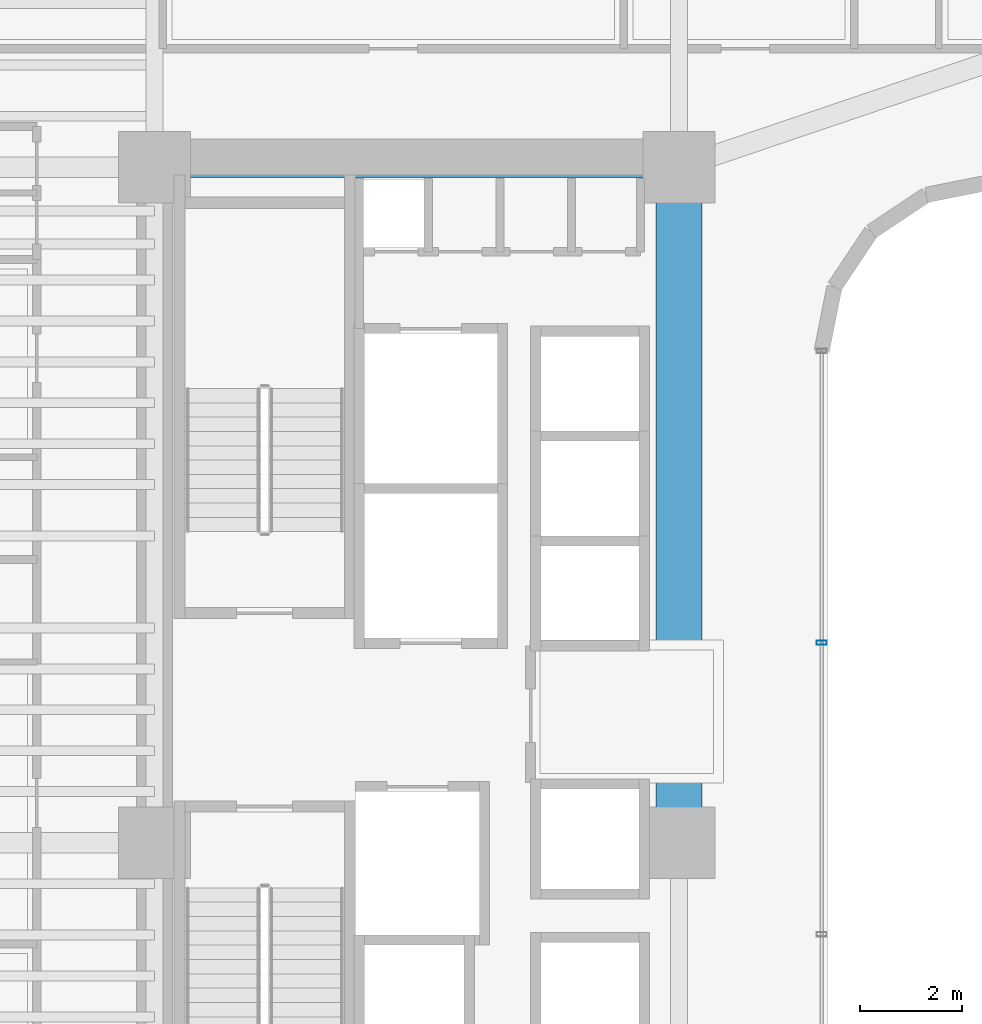
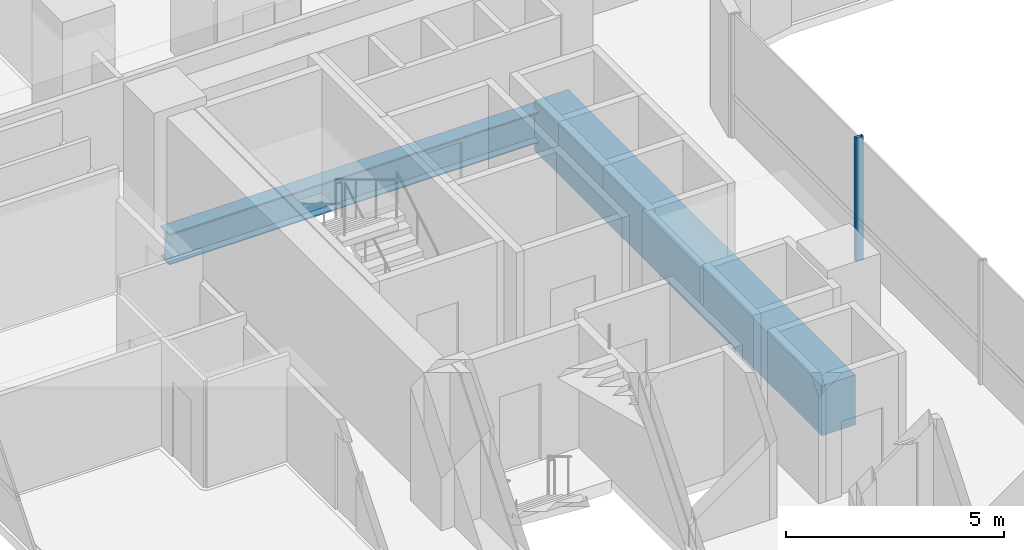
# One storey, part 11 of 40: 2 beams, 1 member, 1 element without a shape of its own.
"""IFC4 building model written with IfcOpenShell, lengths in metres."""

from ifc_helpers import new_model, si_unit, direction, frame, origin, origin_2d, place, context, subcontext, project, spatial, rectangle, hollow_rectangle, i_section, extrude, source, transform, mapped, material, material_profile, profile_set, type_object, element, aggregate, save


model = new_model("IFC4")

# Units and contexts
model_context = context("Model", 3, precision=1e-05, world=origin(), true_north=direction((0.0, 1.0)))
body_context = subcontext(model_context, "Body", "Model", "MODEL_VIEW")
ifc_project = project(units=[si_unit("LENGTHUNIT", "METRE"), si_unit("AREAUNIT", "SQUARE_METRE"), si_unit("VOLUMEUNIT", "CUBIC_METRE"), si_unit("PLANEANGLEUNIT", "RADIAN"), si_unit("MASSUNIT", "GRAM", prefix="KILO")], contexts=[model_context])

# Site, building, storey
site_placement = place(None, origin())
site = spatial("IfcSite", under=ifc_project, at=site_placement, CompositionType="ELEMENT")
building_placement = place(site_placement, origin())
building = spatial("IfcBuilding", under=site, at=building_placement, Name="Valdorenza Pilgrim Sanctuary Tower", CompositionType="ELEMENT")
storey_placement = place(building_placement, frame((0.0, 0.0, 92.60009765625)))
storey = spatial("IfcBuildingStorey", under=building, at=storey_placement, Name="L23", CompositionType="ELEMENT", Elevation=92.60009765625)

# Beams
ifc_material_1 = material(Name="Concrete C60/75", Category="concrete")
ifc_material_profile_1 = material_profile(ifc_material_1, rectangle(XDim=0.89990234375, YDim=1.39990234375, at=origin_2d()), Name="RC 1400x900")
ifc_profile_set_1 = profile_set([ifc_material_profile_1], Name="Concrete C60/75")
beam_type_1 = type_object("IfcBeamType", Name="STR-BM-LNT-1400", PredefinedType="LINTEL", material=ifc_profile_set_1)
shared_shape_1 = source(origin(), body_context, "Body", "SweptSolid", [
    extrude(rectangle(XDim=0.89990234375, YDim=1.39990234375, at=origin_2d()), origin(), (0.0, 0.0, 1.0), 13.2001953125),
])
beam_1_placement = place(storey_placement, frame((-12.39990234375, -2.60009765625, -0.739990234375), z_axis=(0.0, 1.0, 0.0), x_axis=(-1.0, 0.0, 0.0)))
element("IfcBeam", 1, at=beam_1_placement, inside=storey, type_object=beam_type_1, Name="L23 Core A Coupling Lintel Girder", PredefinedType="LINTEL", context=body_context, shape_type="MappedRepresentation", body=[
    mapped(shared_shape_1, transform((0.0, 0.0, 0.0), x_axis=(1.0, 0.0, 0.0), y_axis=(0.0, 1.0, 0.0), z_axis=(0.0, 0.0, 1.0), scale=1.0)),
])
ifc_material_2 = material(Name="Steel ASTM A992 Grade 50", Category="steel")
ifc_material_profile_2 = material_profile(ifc_material_2, i_section(OverallWidth=0.39990234375, OverallDepth=0.862060546875, WebThickness=0.019775390625, FlangeThickness=0.032470703125, at=origin_2d()), Name="W33X221")
ifc_profile_set_2 = profile_set([ifc_material_profile_2], Name="Steel ASTM A992 Grade 50")
beam_type_2 = type_object("IfcBeamType", Name="STR-BM-GRD-W33", PredefinedType="BEAM", material=ifc_profile_set_2)
shared_shape_2 = source(origin(), body_context, "Body", "SweptSolid", [
    extrude(i_section(OverallWidth=0.39990234375, OverallDepth=0.862060546875, WebThickness=0.019775390625, FlangeThickness=0.032470703125, at=origin_2d()), origin(), (0.0, 0.0, 1.0), 10.25),
])
beam_2_placement = place(storey_placement, frame((-22.64990234375, 10.60009765625, -0.671142578125), z_axis=(1.0, 0.0, 0.0), x_axis=(0.0, 1.0, 0.0)))
element("IfcBeam", 2, at=beam_2_placement, inside=storey, type_object=beam_type_2, Name="L23 Floor Girder CA-XC-N1", PredefinedType="BEAM", context=body_context, shape_type="MappedRepresentation", body=[
    mapped(shared_shape_2, transform((0.0, 0.0, 0.0), x_axis=(1.0, 0.0, 0.0), y_axis=(0.0, 1.0, 0.0), z_axis=(0.0, 0.0, 1.0), scale=1.0)),
])

# Curtain wall, member
ifc_material_3 = material(Name="Curtain-wall IGU glazing", Category="glass")
curtain_wall_type = type_object("IfcCurtainWallType", Name="CW-SYS-02", PredefinedType="NOTDEFINED", material=ifc_material_3)
curtain_wall_placement = place(storey_placement, origin())
curtain_wall = element("IfcCurtainWall", 3, at=curtain_wall_placement, inside=storey, type_object=curtain_wall_type, Name="L23 Curtain Wall CW-L23-1-41", PredefinedType="NOTDEFINED")
ifc_material_4 = material(Name="Anodised aluminium AW-6060", Category="aluminium")
ifc_material_profile_3 = material_profile(ifc_material_4, hollow_rectangle(XDim=0.0849609375, YDim=0.199951171875, WallThickness=0.0048828125, at=origin_2d()), Name="ALU-M 200x85x5")
ifc_profile_set_3 = profile_set([ifc_material_profile_3], Name="Anodised aluminium AW-6060")
member_type = type_object("IfcMemberType", Name="CW-MUL-02", PredefinedType="MULLION", material=ifc_profile_set_3)
shared_shape_3 = source(origin(), body_context, "Body", "SweptSolid", [
    extrude(hollow_rectangle(XDim=0.0849609375, YDim=0.199951171875, WallThickness=0.0048828125, at=origin_2d()), origin(), (0.0, 0.0, 1.0), 3.4599609375),
])
member_placement = place(storey_placement, frame((-9.610107421875, 1.310791015625, 0.0), z_axis=(0.0, 0.0, 1.0), x_axis=(0.0, -1.0, 0.0)))
member = element("IfcMember", 4, at=member_placement, type_object=member_type, Name="CW-L23-1-41 Mullion 2", PredefinedType="MULLION", context=body_context, shape_type="MappedRepresentation", body=[
    mapped(shared_shape_3, transform((0.0, 0.0, 0.0), x_axis=(1.0, 0.0, 0.0), y_axis=(0.0, 1.0, 0.0), z_axis=(0.0, 0.0, 1.0), scale=1.0)),
])
aggregate(curtain_wall, [member])

save(model, "model.ifc")
